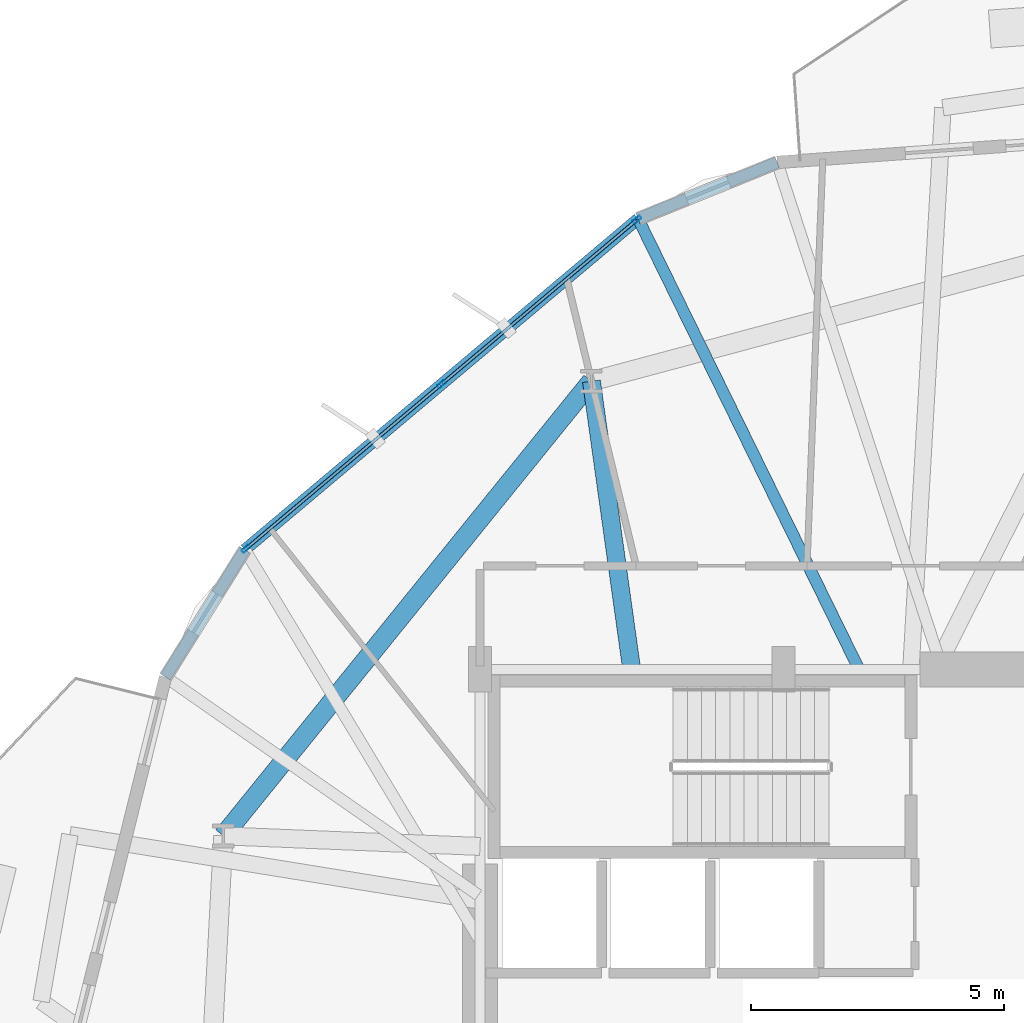
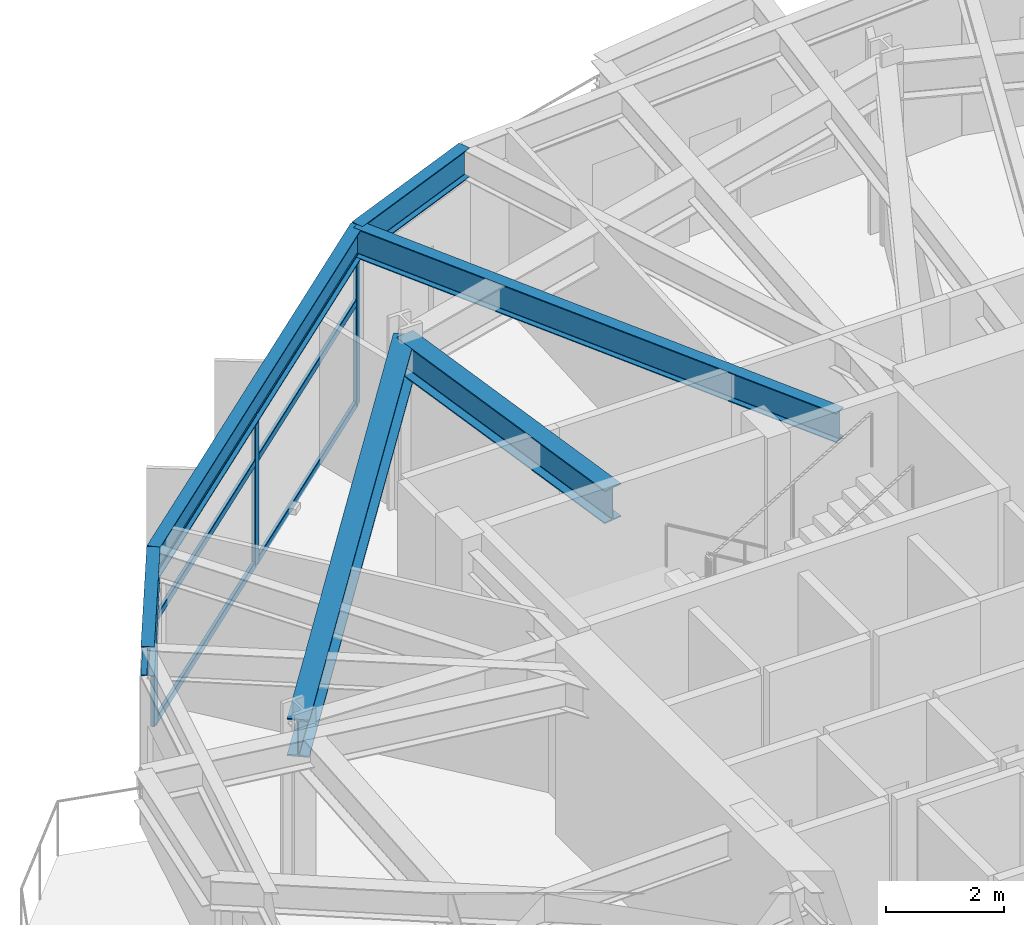
# One storey, part 12 of 22: 9 members, 6 beams, 1 element without a shape of its own.
"""IFC4 building model written with IfcOpenShell, lengths in metres."""

from ifc_helpers import new_model, si_unit, direction, frame, origin, origin_2d, place, context, subcontext, project, spatial, hollow_rectangle, i_section, extrude, material, layer, layer_set, material_profile, profile_set, type_object, element, aggregate, save


model = new_model("IFC4")

# Units and contexts
model_context = context("Model", 3, precision=1e-05, world=origin(), true_north=direction((0.0, 1.0)))
body_context = subcontext(model_context, "Body", "Model", "MODEL_VIEW")
ifc_project = project(units=[si_unit("LENGTHUNIT", "METRE"), si_unit("AREAUNIT", "SQUARE_METRE"), si_unit("VOLUMEUNIT", "CUBIC_METRE"), si_unit("PLANEANGLEUNIT", "RADIAN"), si_unit("MASSUNIT", "GRAM", prefix="KILO")], contexts=[model_context])

# Site, building, storey
site_placement = place(None, origin())
site = spatial("IfcSite", under=ifc_project, at=site_placement, CompositionType="ELEMENT")
building_placement = place(site_placement, origin())
building = spatial("IfcBuilding", under=site, at=building_placement, Name="Soratama Intermodal Tower", CompositionType="ELEMENT")
storey_placement = place(building_placement, frame((0.0, 0.0, 42.60009765625)))
storey = spatial("IfcBuildingStorey", under=building, at=storey_placement, Name="L09", CompositionType="ELEMENT", Elevation=42.60009765625)

# Beams
ifc_material_1 = material(Name="Structural steel ASTM A992 Grade 50", Category="steel")
ifc_material_profile_1 = material_profile(ifc_material_1, i_section(OverallWidth=0.35498046875, OverallDepth=0.695068359375, WebThickness=0.015380859375, FlangeThickness=0.02490234375, FilletRadius=0.01611328125, at=origin_2d()), Name="W27X146")
ifc_profile_set_1 = profile_set([ifc_material_profile_1], Name="Structural steel ASTM A992 Grade 50")
beam_type_1 = type_object("IfcBeamType", Name="BM-RING-W27X146", PredefinedType="BEAM", material=ifc_profile_set_1)
beam_1_placement = place(storey_placement, frame((35.60009765625, 35.0, 3.352294921875), z_axis=(-0.138332473065, 0.990385847484, 0.0), x_axis=(-0.990385847484, -0.138332473065, 0.0)))
element("IfcBeam", 1, at=beam_1_placement, inside=storey, type_object=beam_type_1, Name="BM-L09-RAD-04", PredefinedType="BEAM", context=body_context, shape_type="SweptSolid", body=[
    extrude(i_section(OverallWidth=0.35498046875, OverallDepth=0.695068359375, WebThickness=0.015380859375, FlangeThickness=0.02490234375, FilletRadius=0.01611328125, at=origin_2d()), origin(), (0.0, 0.0, 1.0), 5.75537109375),
])
ifc_material_2 = material(Name="Structural steel ASTM A992 Grade 50", Category="steel")
ifc_material_profile_2 = material_profile(ifc_material_2, i_section(OverallWidth=0.382080078125, OverallDepth=0.779052734375, WebThickness=0.01806640625, FlangeThickness=0.030029296875, FilletRadius=0.01806640625, at=origin_2d()), Name="W30X191")
ifc_profile_set_2 = profile_set([ifc_material_profile_2], Name="Structural steel ASTM A992 Grade 50")
beam_type_2 = type_object("IfcBeamType", Name="BM-RING-W30X191", PredefinedType="BEAM", material=ifc_profile_set_2)
beam_2_placement = place(storey_placement, frame((34.803955078125, 40.699951171875, 3.310302734375), z_axis=(-0.629334198857, -0.777134779912, 0.0), x_axis=(0.777134779912, -0.629334198857, 0.0)))
element("IfcBeam", 2, at=beam_2_placement, inside=storey, type_object=beam_type_2, Name="BM-L09-RING-04", PredefinedType="BEAM", context=body_context, shape_type="SweptSolid", body=[
    extrude(i_section(OverallWidth=0.382080078125, OverallDepth=0.779052734375, WebThickness=0.01806640625, FlangeThickness=0.030029296875, FilletRadius=0.01806640625, at=origin_2d()), origin(), (0.0, 0.0, 1.0), 11.5693359375),
])
ifc_material_3 = material(Name="Structural steel ASTM A992 Grade 50", Category="steel")
ifc_material_profile_3 = material_profile(ifc_material_3, i_section(OverallWidth=0.22900390625, OverallDepth=0.612060546875, WebThickness=0.011962890625, FlangeThickness=0.01953125, FilletRadius=0.012939453125, at=origin_2d()), Name="W24X84")
ifc_profile_set_3 = profile_set([ifc_material_profile_3], Name="Structural steel ASTM A992 Grade 50")
beam_type_3 = type_object("IfcBeamType", Name="BM-SPN-W24X84", PredefinedType="SPANDREL", material=ifc_profile_set_3)
beam_3_placement = place(storey_placement, frame((38.47607421875, 45.029052734375, 3.393798828125), z_axis=(-0.926678074378, -0.375856018267, 0.0), x_axis=(0.375856018267, -0.926678074378, 0.0)))
element("IfcBeam", 3, at=beam_3_placement, inside=storey, type_object=beam_type_3, Name="BS-L09-CRN03", PredefinedType="SPANDREL", context=body_context, shape_type="SweptSolid", body=[
    extrude(i_section(OverallWidth=0.22900390625, OverallDepth=0.612060546875, WebThickness=0.011962890625, FlangeThickness=0.01953125, FilletRadius=0.012939453125, at=origin_2d()), origin(), (0.0, 0.0, 1.0), 2.966552734375),
])
beam_4_placement = place(storey_placement, frame((35.72705078125, 43.9140625, 3.393798828125), z_axis=(-0.765143451137, -0.643859844362, 0.0), x_axis=(0.643859844362, -0.765143451137, 0.0)))
element("IfcBeam", 4, at=beam_4_placement, inside=storey, type_object=beam_type_3, Name="BS-L09-F04", PredefinedType="SPANDREL", context=body_context, shape_type="SweptSolid", body=[
    extrude(i_section(OverallWidth=0.22900390625, OverallDepth=0.612060546875, WebThickness=0.011962890625, FlangeThickness=0.01953125, FilletRadius=0.012939453125, at=origin_2d()), origin(), (0.0, 0.0, 1.0), 10.16552734375),
])
beam_5_placement = place(storey_placement, frame((27.948974609375, 37.368896484375, 3.393798828125), z_axis=(-0.528896322566, -0.848686443851, 0.0), x_axis=(0.848686443851, -0.528896322566, 0.0)))
element("IfcBeam", 5, at=beam_5_placement, inside=storey, type_object=beam_type_3, Name="BS-L09-CRN04", PredefinedType="SPANDREL", context=body_context, shape_type="SweptSolid", body=[
    extrude(i_section(OverallWidth=0.22900390625, OverallDepth=0.612060546875, WebThickness=0.011962890625, FlangeThickness=0.01953125, FilletRadius=0.012939453125, at=origin_2d()), origin(), (0.0, 0.0, 1.0), 2.966796875),
])
ifc_material_4 = material(Name="Structural steel ASTM A992 Grade 50", Category="steel")
ifc_material_profile_4 = material_profile(ifc_material_4, i_section(OverallWidth=0.22900390625, OverallDepth=0.612060546875, WebThickness=0.011962890625, FlangeThickness=0.01953125, FilletRadius=0.012939453125, at=origin_2d()), Name="W24X84")
ifc_profile_set_4 = profile_set([ifc_material_profile_4], Name="Structural steel ASTM A992 Grade 50")
beam_type_4 = type_object("IfcBeamType", Name="BM-TIE-W24X84", PredefinedType="BEAM", material=ifc_profile_set_4)
beam_6_placement = place(storey_placement, frame((40.080078125, 35.035888671875, 3.393798828125), z_axis=(-0.440237234641, 0.897881493982, 0.0), x_axis=(-0.897881493982, -0.440237234641, 0.0)))
element("IfcBeam", 6, at=beam_6_placement, inside=storey, type_object=beam_type_4, Name="BM-L09-TIE0-04", PredefinedType="BEAM", context=body_context, shape_type="SweptSolid", body=[
    extrude(i_section(OverallWidth=0.22900390625, OverallDepth=0.612060546875, WebThickness=0.011962890625, FlangeThickness=0.01953125, FilletRadius=0.012939453125, at=origin_2d()), origin(), (0.0, 0.0, 1.0), 9.887939453125),
])

# Curtain wall, members
ifc_material_5 = material(Name="Double-glazed aluminium curtain wall", Category="aluminium")
ifc_layer = layer(ifc_material_5, 0.159912109375)
ifc_layer_set = layer_set([ifc_layer], Name="Double-glazed aluminium curtain wall")
curtain_wall_type = type_object("IfcCurtainWallType", Name="CW-SYS-2", PredefinedType="NOTDEFINED", material=ifc_layer_set)
curtain_wall_placement = place(storey_placement, origin())
curtain_wall = element("IfcCurtainWall", 7, at=curtain_wall_placement, inside=storey, type_object=curtain_wall_type, Name="L09 Faceted Curtain Wall F04", PredefinedType="NOTDEFINED")
ifc_material_6 = material(Name="Anodised aluminium AA 6063-T6", Category="aluminium")
ifc_material_profile_5 = material_profile(ifc_material_6, hollow_rectangle(XDim=0.074951171875, YDim=0.179931640625, WallThickness=0.006103515625, InnerFilletRadius=0.006103515625, OuterFilletRadius=0.011962890625, at=origin_2d()), Name="CWM180X75X6")
ifc_profile_set_5 = profile_set([ifc_material_profile_5], Name="Anodised aluminium AA 6063-T6")
member_type_1 = type_object("IfcMemberType", Name="MT-CWM-2", PredefinedType="MULLION", material=ifc_profile_set_5)
member_1_placement = place(storey_placement, frame((35.703857421875, 43.894775390625, 0.0), z_axis=(0.0, 0.0, 1.0), x_axis=(0.643853061672, -0.765149158645, 0.0)))
member_1 = element("IfcMember", 8, at=member_1_placement, type_object=member_type_1, Name="CW-2 mullion 1", PredefinedType="MULLION", context=body_context, shape_type="SweptSolid", body=[
    extrude(hollow_rectangle(XDim=0.074951171875, YDim=0.179931640625, WallThickness=0.006103515625, InnerFilletRadius=0.006103515625, OuterFilletRadius=0.011962890625, at=origin_2d()), origin(), (0.0, 0.0, 1.0), 3.078857421875),
])
member_2_placement = place(storey_placement, frame((31.837890625, 40.6416015625, 0.0), z_axis=(0.0, 0.0, 1.0), x_axis=(0.643853061672, -0.765149158645, 0.0)))
member_2 = element("IfcMember", 9, at=member_2_placement, type_object=member_type_1, Name="CW-2 mullion 2", PredefinedType="MULLION", context=body_context, shape_type="SweptSolid", body=[
    extrude(hollow_rectangle(XDim=0.074951171875, YDim=0.179931640625, WallThickness=0.006103515625, InnerFilletRadius=0.006103515625, OuterFilletRadius=0.011962890625, at=origin_2d()), origin(), (0.0, 0.0, 1.0), 3.078857421875),
])
member_3_placement = place(storey_placement, frame((27.971923828125, 37.388427734375, 0.0), z_axis=(0.0, 0.0, 1.0), x_axis=(0.643853061672, -0.765149158645, 0.0)))
member_3 = element("IfcMember", 10, at=member_3_placement, type_object=member_type_1, Name="CW-2 mullion 3", PredefinedType="MULLION", context=body_context, shape_type="SweptSolid", body=[
    extrude(hollow_rectangle(XDim=0.074951171875, YDim=0.179931640625, WallThickness=0.006103515625, InnerFilletRadius=0.006103515625, OuterFilletRadius=0.011962890625, at=origin_2d()), origin(), (0.0, 0.0, 1.0), 3.078857421875),
])
ifc_material_7 = material(Name="Anodised aluminium AA 6063-T6", Category="aluminium")
ifc_material_profile_6 = material_profile(ifc_material_7, hollow_rectangle(XDim=0.06494140625, YDim=0.14990234375, WallThickness=0.0048828125, InnerFilletRadius=0.0048828125, OuterFilletRadius=0.010009765625, at=origin_2d()), Name="CWT150X65X5")
ifc_profile_set_6 = profile_set([ifc_material_profile_6], Name="Anodised aluminium AA 6063-T6")
member_type_2 = type_object("IfcMemberType", Name="TT-CWT-1", PredefinedType="USERDEFINED", material=ifc_profile_set_6)
member_4_placement = place(storey_placement, frame((35.680908203125, 43.87548828125, 0.02978515625), z_axis=(-0.765138135341, -0.643866161439, 0.0), x_axis=(0.643866161439, -0.765138135341, 0.0)))
member_4 = element("IfcMember", 11, at=member_4_placement, type_object=member_type_2, Name="CW-2 transom 1.1", ObjectType="TRANSOM", PredefinedType="USERDEFINED", context=body_context, shape_type="SweptSolid", body=[
    extrude(hollow_rectangle(XDim=0.06494140625, YDim=0.14990234375, WallThickness=0.0048828125, InnerFilletRadius=0.0048828125, OuterFilletRadius=0.010009765625, at=origin_2d()), origin(), (0.0, 0.0, 1.0), 4.99267578125),
])
member_5_placement = place(storey_placement, frame((35.680908203125, 43.87548828125, 2.14990234375), z_axis=(-0.765138135341, -0.643866161439, 0.0), x_axis=(0.643866161439, -0.765138135341, 0.0)))
member_5 = element("IfcMember", 12, at=member_5_placement, type_object=member_type_2, Name="CW-2 transom 1.2", ObjectType="TRANSOM", PredefinedType="USERDEFINED", context=body_context, shape_type="SweptSolid", body=[
    extrude(hollow_rectangle(XDim=0.06494140625, YDim=0.14990234375, WallThickness=0.0048828125, InnerFilletRadius=0.0048828125, OuterFilletRadius=0.010009765625, at=origin_2d()), origin(), (0.0, 0.0, 1.0), 4.99267578125),
])
member_6_placement = place(storey_placement, frame((35.680908203125, 43.87548828125, 3.048828125), z_axis=(-0.765138135341, -0.643866161439, 0.0), x_axis=(0.643866161439, -0.765138135341, 0.0)))
member_6 = element("IfcMember", 13, at=member_6_placement, type_object=member_type_2, Name="CW-2 transom 1.3", ObjectType="TRANSOM", PredefinedType="USERDEFINED", context=body_context, shape_type="SweptSolid", body=[
    extrude(hollow_rectangle(XDim=0.06494140625, YDim=0.14990234375, WallThickness=0.0048828125, InnerFilletRadius=0.0048828125, OuterFilletRadius=0.010009765625, at=origin_2d()), origin(), (0.0, 0.0, 1.0), 4.99267578125),
])
member_7_placement = place(storey_placement, frame((31.81494140625, 40.622314453125, 0.02978515625), z_axis=(-0.765138135341, -0.643866161439, 0.0), x_axis=(0.643866161439, -0.765138135341, 0.0)))
member_7 = element("IfcMember", 14, at=member_7_placement, type_object=member_type_2, Name="CW-2 transom 2.1", ObjectType="TRANSOM", PredefinedType="USERDEFINED", context=body_context, shape_type="SweptSolid", body=[
    extrude(hollow_rectangle(XDim=0.06494140625, YDim=0.14990234375, WallThickness=0.0048828125, InnerFilletRadius=0.0048828125, OuterFilletRadius=0.010009765625, at=origin_2d()), origin(), (0.0, 0.0, 1.0), 4.99267578125),
])
member_8_placement = place(storey_placement, frame((31.81494140625, 40.622314453125, 2.14990234375), z_axis=(-0.765138135341, -0.643866161439, 0.0), x_axis=(0.643866161439, -0.765138135341, 0.0)))
member_8 = element("IfcMember", 15, at=member_8_placement, type_object=member_type_2, Name="CW-2 transom 2.2", ObjectType="TRANSOM", PredefinedType="USERDEFINED", context=body_context, shape_type="SweptSolid", body=[
    extrude(hollow_rectangle(XDim=0.06494140625, YDim=0.14990234375, WallThickness=0.0048828125, InnerFilletRadius=0.0048828125, OuterFilletRadius=0.010009765625, at=origin_2d()), origin(), (0.0, 0.0, 1.0), 4.99267578125),
])
member_9_placement = place(storey_placement, frame((31.81494140625, 40.622314453125, 3.048828125), z_axis=(-0.765138135341, -0.643866161439, 0.0), x_axis=(0.643866161439, -0.765138135341, 0.0)))
member_9 = element("IfcMember", 16, at=member_9_placement, type_object=member_type_2, Name="CW-2 transom 2.3", ObjectType="TRANSOM", PredefinedType="USERDEFINED", context=body_context, shape_type="SweptSolid", body=[
    extrude(hollow_rectangle(XDim=0.06494140625, YDim=0.14990234375, WallThickness=0.0048828125, InnerFilletRadius=0.0048828125, OuterFilletRadius=0.010009765625, at=origin_2d()), origin(), (0.0, 0.0, 1.0), 4.99267578125),
])
aggregate(curtain_wall, [member_1, member_2, member_3, member_4, member_5, member_6, member_7, member_8, member_9])

save(model, "model.ifc")
